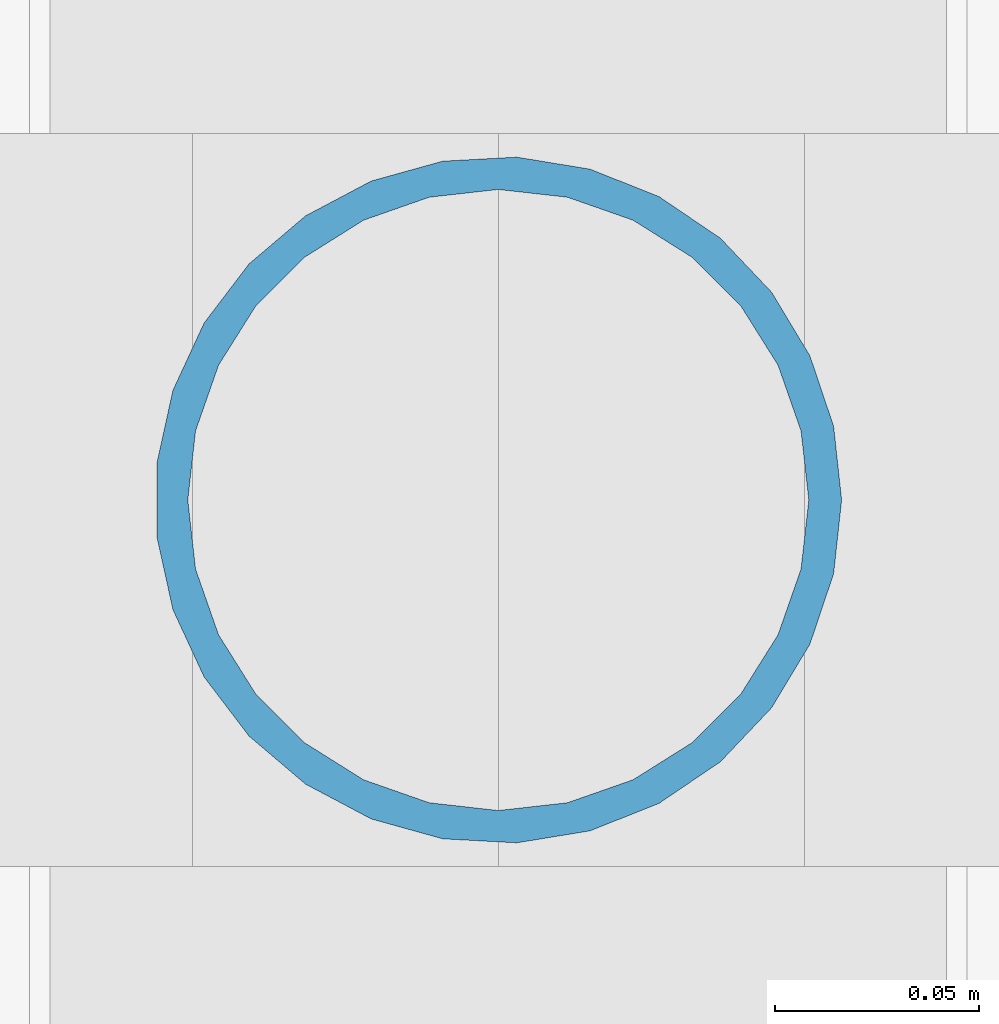
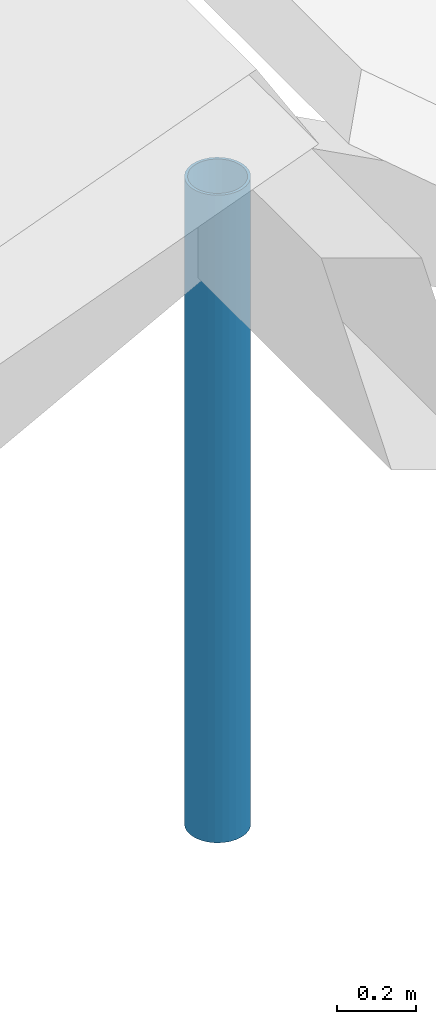
# One storey, part 50 of 82: 1 member.
"""IFC4 building model written with IfcOpenShell, lengths in metres."""

from ifc_helpers import new_model, si_unit, direction, frame, origin, origin_2d, place, context, subcontext, project, spatial, hollow_circle, extrude, material, material_profile, profile_set, type_object, element, save


model = new_model("IFC4")

# Units and contexts
model_context = context("Model", 3, precision=1e-05, world=origin(), true_north=direction((0.0, 1.0)))
body_context = subcontext(model_context, "Body", "Model", "MODEL_VIEW")
ifc_project = project(units=[si_unit("LENGTHUNIT", "METRE"), si_unit("AREAUNIT", "SQUARE_METRE"), si_unit("VOLUMEUNIT", "CUBIC_METRE"), si_unit("PLANEANGLEUNIT", "RADIAN"), si_unit("MASSUNIT", "GRAM", prefix="KILO")], contexts=[model_context])

# Site, building, storey
site_placement = place(None, origin())
site = spatial("IfcSite", under=ifc_project, at=site_placement, CompositionType="ELEMENT")
building_placement = place(site_placement, origin())
building = spatial("IfcBuilding", under=site, at=building_placement, Name="Bramfleet General Hospital", CompositionType="ELEMENT")
storey_placement = place(building_placement, frame((0.0, 0.0, 34.199951171875)))
storey = spatial("IfcBuildingStorey", under=building, at=storey_placement, Name="Roof", CompositionType="ELEMENT", Elevation=34.199951171875)

# Member
ifc_material = material(Name="Steel S355", Category="steel")
ifc_material_profile = material_profile(ifc_material, hollow_circle(Radius=0.084228515625, WallThickness=0.008056640625, at=origin_2d()), Name="CHS 168.3x8.0")
ifc_profile_set = profile_set([ifc_material_profile], Name="Steel S355")
member_type = type_object("IfcMemberType", Name="MEM-SF-DG1", PredefinedType="STRUT", material=ifc_profile_set)
member_placement = place(storey_placement, frame((88.199951171875, 109.199951171875, -0.43994140625), z_axis=(0.0, 0.0, 1.0), x_axis=(1.0, 0.0, 0.0)))
element("IfcMember", 1, at=member_placement, inside=storey, type_object=member_type, Name="Patient House PH-02 Ridge Timber Post 2", PredefinedType="STRUT", context=body_context, shape_type="SweptSolid", body=[
    extrude(hollow_circle(Radius=0.084228515625, WallThickness=0.008056640625, at=origin_2d()), origin(), (0.0, 0.0, 1.0), 2.001220703125),
])

save(model, "model.ifc")
